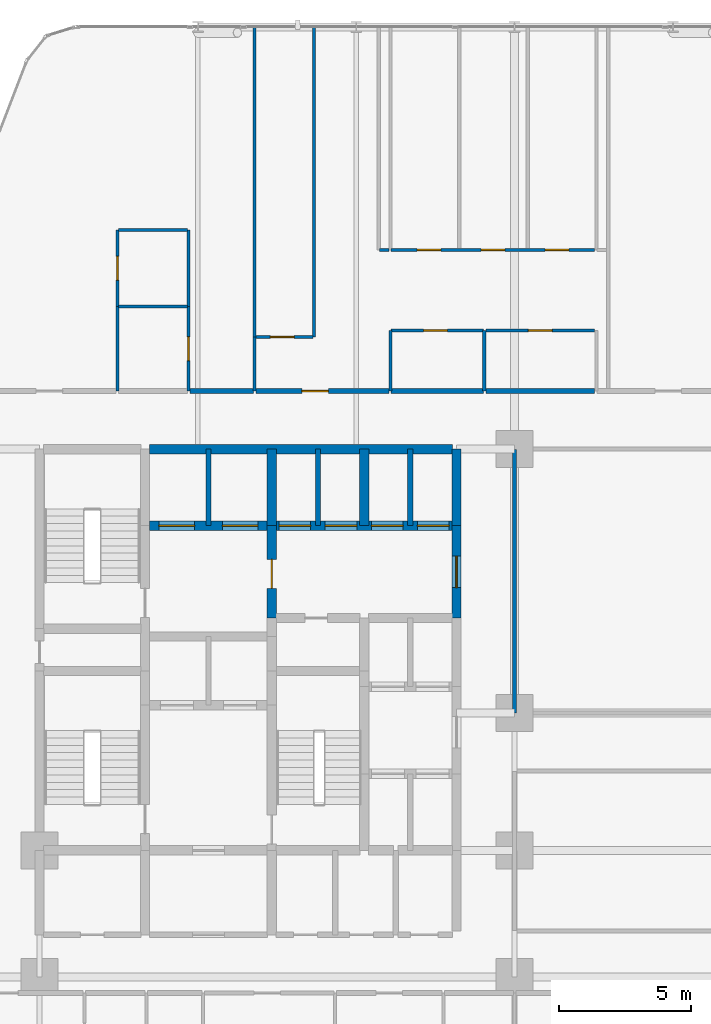
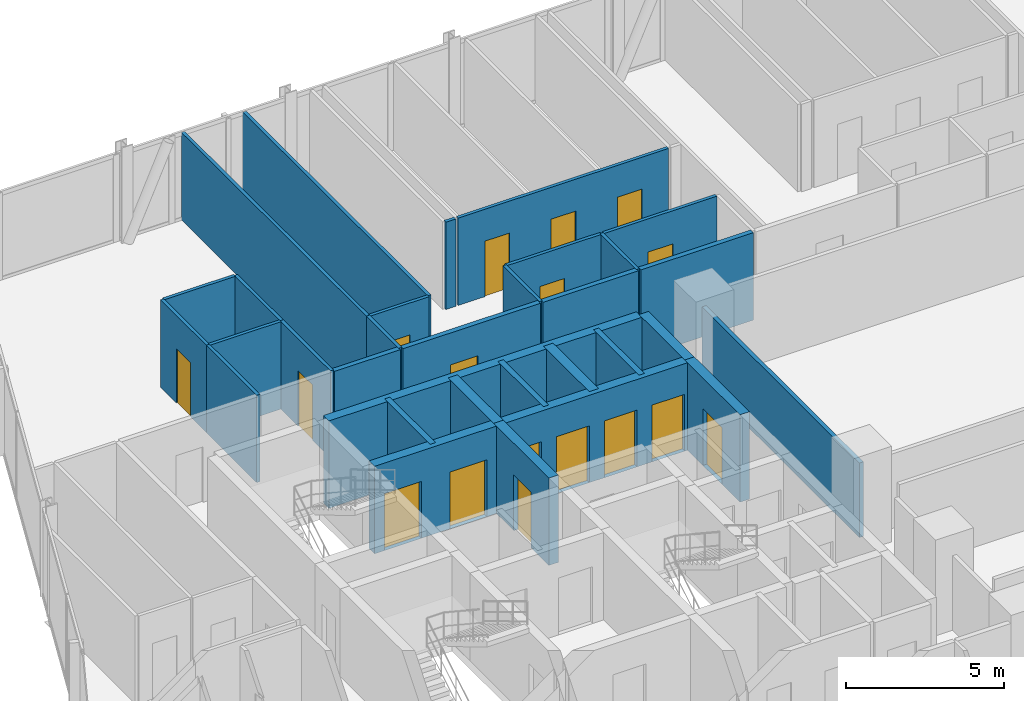
# One storey, part 30 of 34: 31 walls, 17 doors, 17 openings.
"""IFC4 building model written with IfcOpenShell, lengths in metres."""

from ifc_helpers import new_model, si_unit, direction, frame, frame_2d, origin, place, context, subcontext, project, spatial, rectangle, extrude, material, layer, layer_set, type_object, element, fill, save


model = new_model("IFC4")

# Units and contexts
model_context = context("Model", 3, precision=1e-05, world=origin(), true_north=direction((0.0, 1.0)))
body_context = subcontext(model_context, "Body", "Model", "MODEL_VIEW")
ifc_project = project(units=[si_unit("LENGTHUNIT", "METRE"), si_unit("AREAUNIT", "SQUARE_METRE"), si_unit("VOLUMEUNIT", "CUBIC_METRE"), si_unit("PLANEANGLEUNIT", "RADIAN"), si_unit("MASSUNIT", "GRAM", prefix="KILO")], contexts=[model_context])

# Site, building, storey
site_placement = place(None, origin())
site = spatial("IfcSite", under=ifc_project, at=site_placement, CompositionType="ELEMENT")
building_placement = place(site_placement, origin())
building = spatial("IfcBuilding", under=site, at=building_placement, Name="Keshet Zoharim Tower", CompositionType="ELEMENT")
storey_placement = place(building_placement, frame((0.0, 0.0, 38.800048828125)))
storey = spatial("IfcBuildingStorey", under=building, at=storey_placement, Name="L08", CompositionType="ELEMENT", Elevation=38.800048828125)

# Wall
ifc_material_1 = material(Name="Gypsum Plasterboard", Category="gypsum")
ifc_layer_1 = layer(ifc_material_1, 0.14990234375)
ifc_layer_set_1 = layer_set([ifc_layer_1], Name="Gypsum Plasterboard")
wall_type_1 = type_object("IfcWallType", Name="WL-CLIN-150", PredefinedType="STANDARD", material=ifc_layer_set_1)
wall_1_placement = place(storey_placement, frame((33.0, 27.909912109375, 0.0), z_axis=(0.0, 0.0, 1.0), x_axis=(0.0, 1.0, 0.0)))
element("IfcWall", 1, at=wall_1_placement, inside=storey, type_object=wall_type_1, Name="L08 Interior Wall 071", PredefinedType="STANDARD", context=body_context, shape_type="SweptSolid", body=[
    extrude(rectangle(XDim=9.97998046875, YDim=0.14990234375, at=frame_2d((4.989990234375, 0.0))), origin(), (0.0, 0.0, 1.0), 2.885009765625),
])

# Wall, opening, door
ifc_material_2 = material(Name="Concrete C60/75", Category="concrete")
ifc_layer_2 = layer(ifc_material_2, 0.35009765625)
ifc_layer_set_2 = layer_set([ifc_layer_2], Name="Concrete C60/75")
wall_type_2 = type_object("IfcWallType", Name="WL-CORE-350", PredefinedType="SHEAR", material=ifc_layer_set_2)
wall_2_placement = place(storey_placement, frame((23.800048828125, 31.5, 0.0), z_axis=(0.0, 0.0, 1.0), x_axis=(0.0, 1.0, 0.0)))
wall_2 = element("IfcWall", 2, at=wall_2_placement, inside=storey, type_object=wall_type_2, Name="L08 Core Shear Wall 040", PredefinedType="SHEAR", context=body_context, shape_type="SweptSolid", body=[
    extrude(rectangle(XDim=3.5, YDim=0.35009765625, at=frame_2d((1.75, 0.0))), origin(), (0.0, 0.0, 1.0), 3.385009765625),
])
opening_1_placement = place(wall_2_placement, frame((1.126953125, 0.0, 0.0)))
opening_1 = element("IfcOpeningElement", 3, at=opening_1_placement, cuts=wall_2, Name="Opening D-F611", PredefinedType="OPENING", context=body_context, shape_type="SweptSolid", body=[
    extrude(rectangle(XDim=1.10009765625, YDim=2.14990234375, at=frame_2d((0.550048828125, 1.074951171875))), frame((0.0, 0.18505859375, 0.0), z_axis=(0.0, -1.0, 0.0), x_axis=(1.0, 0.0, 0.0)), (0.0, 0.0, 1.0), 0.3701171875),
])
ifc_material_3 = material(Name="Hardwood Timber", Category="wood")
door_type_1 = type_object("IfcDoorType", Name="DR-FD60-110", OperationType="NOTDEFINED", PredefinedType="DOOR", material=ifc_material_3)
door_1_placement = place(opening_1_placement, origin())
door_1 = element("IfcDoor", 4, at=door_1_placement, inside=storey, type_object=door_type_1, Name="L08 Firefighting Lobby Fire Door", OperationType="SINGLE_SWING_RIGHT", OverallHeight=2.14990234375, OverallWidth=1.10009765625, PredefinedType="DOOR", context=body_context, shape_type="SweptSolid", body=[
    extrude(rectangle(XDim=1.10009765625, YDim=2.14990234375, at=frame_2d((0.550048828125, 1.074951171875))), frame((0.0, 0.02490234375, 0.0), z_axis=(0.0, -1.0, 0.0), x_axis=(1.0, 0.0, 0.0)), (0.0, 0.0, 1.0), 0.050048828125),
])
fill(opening_1, door_1)

# Walls
for number, where, z_axis, x_axis, name in (
    (5, (23.800048828125, 35.0, 0.0), (0.0, 0.0, 1.0), (0.0, 1.0, 0.0), "L08 Core Shear Wall 041"),
    (6, (27.300048828125, 35.0, 0.0), (0.0, 0.0, 1.0), (0.0, 1.0, 0.0), "L08 Core Shear Wall 050"),
):
    element("IfcWall", number, at=place(storey_placement, frame(where, z_axis=z_axis, x_axis=x_axis)), inside=storey, type_object=wall_type_2, Name=name, PredefinedType="SHEAR", context=body_context, shape_type="SweptSolid", body=[
        extrude(rectangle(XDim=2.89990234375, YDim=0.35009765625, at=frame_2d((1.449951171875, 0.0))), origin(), (0.0, 0.0, 1.0), 3.385009765625),
    ])

# Wall, opening, door
wall_3_placement = place(storey_placement, frame((30.800048828125, 31.5, 0.0), z_axis=(0.0, 0.0, 1.0), x_axis=(0.0, 1.0, 0.0)))
wall_3 = element("IfcWall", 7, at=wall_3_placement, inside=storey, type_object=wall_type_2, Name="L08 Core Shear Wall 065", PredefinedType="SHEAR", context=body_context, shape_type="SweptSolid", body=[
    extrude(rectangle(XDim=3.5, YDim=0.35009765625, at=frame_2d((1.75, 0.0))), origin(), (0.0, 0.0, 1.0), 3.385009765625),
])
opening_2_placement = place(wall_3_placement, frame((1.14990234375, 0.0, 0.0)))
opening_2 = element("IfcOpeningElement", 8, at=opening_2_placement, cuts=wall_3, Name="Opening D-F612", PredefinedType="OPENING", context=body_context, shape_type="SweptSolid", body=[
    extrude(rectangle(XDim=1.199951171875, YDim=2.199951171875, at=frame_2d((0.60009765625, 1.10009765625))), frame((0.0, 0.18505859375, 0.0), z_axis=(0.0, -1.0, 0.0), x_axis=(1.0, 0.0, 0.0)), (0.0, 0.0, 1.0), 0.3701171875),
])
door_type_2 = type_object("IfcDoorType", Name="DR-FD60-120", OperationType="NOTDEFINED", PredefinedType="DOOR", material=ifc_material_3)
door_2_placement = place(opening_2_placement, origin())
door_2 = element("IfcDoor", 9, at=door_2_placement, inside=storey, type_object=door_type_2, Name="L08 North Lift Lobby East Fire Door", OperationType="SINGLE_SWING_RIGHT", OverallHeight=2.199951171875, OverallWidth=1.199951171875, PredefinedType="DOOR", context=body_context, shape_type="SweptSolid", body=[
    extrude(rectangle(XDim=1.199951171875, YDim=2.199951171875, at=frame_2d((0.60009765625, 1.10009765625))), frame((0.0, 0.02490234375, 0.0), z_axis=(0.0, -1.0, 0.0), x_axis=(1.0, 0.0, 0.0)), (0.0, 0.0, 1.0), 0.050048828125),
])
fill(opening_2, door_2)

# Wall
wall_4_placement = place(storey_placement, frame((30.800048828125, 35.0, 0.0), z_axis=(0.0, 0.0, 1.0), x_axis=(0.0, 1.0, 0.0)))
element("IfcWall", 10, at=wall_4_placement, inside=storey, type_object=wall_type_2, Name="L08 Core Shear Wall 066", PredefinedType="SHEAR", context=body_context, shape_type="SweptSolid", body=[
    extrude(rectangle(XDim=2.89990234375, YDim=0.35009765625, at=frame_2d((1.449951171875, 0.0))), origin(), (0.0, 0.0, 1.0), 3.385009765625),
])

# Wall, openings, doors
wall_5_placement = place(storey_placement, frame((19.159912109375, 35.0, 0.0), z_axis=(0.0, 0.0, 1.0), x_axis=(1.0, 0.0, 0.0)))
wall_5 = element("IfcWall", 11, at=wall_5_placement, inside=storey, type_object=wall_type_2, Name="L08 Core Shear Wall 193", PredefinedType="SHEAR", context=body_context, shape_type="SweptSolid", body=[
    extrude(rectangle(XDim=11.47998046875, YDim=0.35009765625, at=frame_2d((5.739990234375, 0.0))), origin(), (0.0, 0.0, 1.0), 3.385009765625),
])
opening_3_placement = place(wall_5_placement, frame((0.364990234375, 0.0, 0.0)))
opening_3 = element("IfcOpeningElement", 12, at=opening_3_placement, cuts=wall_5, Name="Opening LD-02", PredefinedType="OPENING", context=body_context, shape_type="SweptSolid", body=[
    extrude(rectangle(XDim=1.35009765625, YDim=2.199951171875, at=frame_2d((0.675048828125, 1.10009765625))), frame((0.0, 0.18505859375, 0.0), z_axis=(0.0, -1.0, 0.0), x_axis=(1.0, 0.0, 0.0)), (0.0, 0.0, 1.0), 0.3701171875),
])
opening_4_placement = place(wall_5_placement, frame((2.764892578125, 0.0, 0.0)))
opening_4 = element("IfcOpeningElement", 13, at=opening_4_placement, cuts=wall_5, Name="Opening LD-02", PredefinedType="OPENING", context=body_context, shape_type="SweptSolid", body=[
    extrude(rectangle(XDim=1.35009765625, YDim=2.199951171875, at=frame_2d((0.675048828125, 1.10009765625))), frame((0.0, 0.18505859375, 0.0), z_axis=(0.0, -1.0, 0.0), x_axis=(1.0, 0.0, 0.0)), (0.0, 0.0, 1.0), 0.3701171875),
])
opening_5_placement = place(wall_5_placement, frame((4.9150390625, 0.0, 0.0)))
opening_5 = element("IfcOpeningElement", 14, at=opening_5_placement, cuts=wall_5, Name="Opening LD-03", PredefinedType="OPENING", context=body_context, shape_type="SweptSolid", body=[
    extrude(rectangle(XDim=1.199951171875, YDim=2.199951171875, at=frame_2d((0.60009765625, 1.10009765625))), frame((0.0, 0.18505859375, 0.0), z_axis=(0.0, -1.0, 0.0), x_axis=(1.0, 0.0, 0.0)), (0.0, 0.0, 1.0), 0.3701171875),
])
opening_6_placement = place(wall_5_placement, frame((6.6650390625, 0.0, 0.0)))
opening_6 = element("IfcOpeningElement", 15, at=opening_6_placement, cuts=wall_5, Name="Opening LD-03", PredefinedType="OPENING", context=body_context, shape_type="SweptSolid", body=[
    extrude(rectangle(XDim=1.199951171875, YDim=2.199951171875, at=frame_2d((0.60009765625, 1.10009765625))), frame((0.0, 0.18505859375, 0.0), z_axis=(0.0, -1.0, 0.0), x_axis=(1.0, 0.0, 0.0)), (0.0, 0.0, 1.0), 0.3701171875),
])
opening_7_placement = place(wall_5_placement, frame((8.4150390625, 0.0, 0.0)))
opening_7 = element("IfcOpeningElement", 16, at=opening_7_placement, cuts=wall_5, Name="Opening LD-03", PredefinedType="OPENING", context=body_context, shape_type="SweptSolid", body=[
    extrude(rectangle(XDim=1.199951171875, YDim=2.199951171875, at=frame_2d((0.60009765625, 1.10009765625))), frame((0.0, 0.18505859375, 0.0), z_axis=(0.0, -1.0, 0.0), x_axis=(1.0, 0.0, 0.0)), (0.0, 0.0, 1.0), 0.3701171875),
])
opening_8_placement = place(wall_5_placement, frame((10.159912109375, 0.0, 0.0)))
opening_8 = element("IfcOpeningElement", 17, at=opening_8_placement, cuts=wall_5, Name="Opening LD-03", PredefinedType="OPENING", context=body_context, shape_type="SweptSolid", body=[
    extrude(rectangle(XDim=1.199951171875, YDim=2.199951171875, at=frame_2d((0.60009765625, 1.10009765625))), frame((0.0, 0.18505859375, 0.0), z_axis=(0.0, -1.0, 0.0), x_axis=(1.0, 0.0, 0.0)), (0.0, 0.0, 1.0), 0.3701171875),
])
ifc_material_4 = material(Name="Steel S355", Category="steel")
door_type_3 = type_object("IfcDoorType", Name="DR-LD02-135", OperationType="DOUBLE_DOOR_SLIDING", PredefinedType="DOOR", material=ifc_material_4)
door_3_placement = place(opening_3_placement, origin())
door_3 = element("IfcDoor", 18, at=door_3_placement, inside=storey, type_object=door_type_3, Name="L08 Firefighting Lift Landing Door FF-01", OperationType="DOUBLE_DOOR_SLIDING", OverallHeight=2.199951171875, OverallWidth=1.35009765625, PredefinedType="DOOR", context=body_context, shape_type="SweptSolid", body=[
    extrude(rectangle(XDim=1.35009765625, YDim=2.199951171875, at=frame_2d((0.675048828125, 1.10009765625))), frame((0.0, 0.02490234375, 0.0), z_axis=(0.0, -1.0, 0.0), x_axis=(1.0, 0.0, 0.0)), (0.0, 0.0, 1.0), 0.050048828125),
])
fill(opening_3, door_3)
door_4_placement = place(opening_4_placement, origin())
door_4 = element("IfcDoor", 19, at=door_4_placement, inside=storey, type_object=door_type_3, Name="L08 Firefighting Lift Landing Door FF-02", OperationType="DOUBLE_DOOR_SLIDING", OverallHeight=2.199951171875, OverallWidth=1.35009765625, PredefinedType="DOOR", context=body_context, shape_type="SweptSolid", body=[
    extrude(rectangle(XDim=1.35009765625, YDim=2.199951171875, at=frame_2d((0.675048828125, 1.10009765625))), frame((0.0, 0.02490234375, 0.0), z_axis=(0.0, -1.0, 0.0), x_axis=(1.0, 0.0, 0.0)), (0.0, 0.0, 1.0), 0.050048828125),
])
fill(opening_4, door_4)
door_type_4 = type_object("IfcDoorType", Name="DR-LD03-120", OperationType="DOUBLE_DOOR_SLIDING", PredefinedType="DOOR", material=ifc_material_4)
door_5_placement = place(opening_5_placement, origin())
door_5 = element("IfcDoor", 20, at=door_5_placement, inside=storey, type_object=door_type_4, Name="L08 Passenger Lift Landing Door LF-01", OperationType="DOUBLE_DOOR_SLIDING", OverallHeight=2.199951171875, OverallWidth=1.199951171875, PredefinedType="DOOR", context=body_context, shape_type="SweptSolid", body=[
    extrude(rectangle(XDim=1.199951171875, YDim=2.199951171875, at=frame_2d((0.60009765625, 1.10009765625))), frame((0.0, 0.02490234375, 0.0), z_axis=(0.0, -1.0, 0.0), x_axis=(1.0, 0.0, 0.0)), (0.0, 0.0, 1.0), 0.050048828125),
])
fill(opening_5, door_5)
door_6_placement = place(opening_6_placement, origin())
door_6 = element("IfcDoor", 21, at=door_6_placement, inside=storey, type_object=door_type_4, Name="L08 Passenger Lift Landing Door LF-02", OperationType="DOUBLE_DOOR_SLIDING", OverallHeight=2.199951171875, OverallWidth=1.199951171875, PredefinedType="DOOR", context=body_context, shape_type="SweptSolid", body=[
    extrude(rectangle(XDim=1.199951171875, YDim=2.199951171875, at=frame_2d((0.60009765625, 1.10009765625))), frame((0.0, 0.02490234375, 0.0), z_axis=(0.0, -1.0, 0.0), x_axis=(1.0, 0.0, 0.0)), (0.0, 0.0, 1.0), 0.050048828125),
])
fill(opening_6, door_6)
door_7_placement = place(opening_7_placement, origin())
door_7 = element("IfcDoor", 22, at=door_7_placement, inside=storey, type_object=door_type_4, Name="L08 Passenger Lift Landing Door LF-03", OperationType="DOUBLE_DOOR_SLIDING", OverallHeight=2.199951171875, OverallWidth=1.199951171875, PredefinedType="DOOR", context=body_context, shape_type="SweptSolid", body=[
    extrude(rectangle(XDim=1.199951171875, YDim=2.199951171875, at=frame_2d((0.60009765625, 1.10009765625))), frame((0.0, 0.02490234375, 0.0), z_axis=(0.0, -1.0, 0.0), x_axis=(1.0, 0.0, 0.0)), (0.0, 0.0, 1.0), 0.050048828125),
])
fill(opening_7, door_7)
door_8_placement = place(opening_8_placement, origin())
door_8 = element("IfcDoor", 23, at=door_8_placement, inside=storey, type_object=door_type_4, Name="L08 Passenger Lift Landing Door LF-04", OperationType="DOUBLE_DOOR_SLIDING", OverallHeight=2.199951171875, OverallWidth=1.199951171875, PredefinedType="DOOR", context=body_context, shape_type="SweptSolid", body=[
    extrude(rectangle(XDim=1.199951171875, YDim=2.199951171875, at=frame_2d((0.60009765625, 1.10009765625))), frame((0.0, 0.02490234375, 0.0), z_axis=(0.0, -1.0, 0.0), x_axis=(1.0, 0.0, 0.0)), (0.0, 0.0, 1.0), 0.050048828125),
])
fill(opening_8, door_8)

# Walls
wall_6_placement = place(storey_placement, frame((19.159912109375, 37.89990234375, 0.0), z_axis=(0.0, 0.0, 1.0), x_axis=(1.0, 0.0, 0.0)))
element("IfcWall", 24, at=wall_6_placement, inside=storey, type_object=wall_type_2, Name="L08 Core Shear Wall 195", PredefinedType="SHEAR", context=body_context, shape_type="SweptSolid", body=[
    extrude(rectangle(XDim=11.47998046875, YDim=0.35009765625, at=frame_2d((5.739990234375, 0.0))), origin(), (0.0, 0.0, 1.0), 3.385009765625),
])
ifc_layer_3 = layer(ifc_material_1, 0.179931640625)
ifc_layer_set_3 = layer_set([ifc_layer_3], Name="Gypsum Plasterboard")
wall_type_3 = type_object("IfcWallType", Name="WL-CORR-180", PredefinedType="STANDARD", material=ifc_layer_set_3)
wall_7_placement = place(storey_placement, frame((20.695068359375, 40.10009765625, 0.0), z_axis=(0.0, 0.0, 1.0), x_axis=(1.0, 0.0, 0.0)))
element("IfcWall", 25, at=wall_7_placement, inside=storey, type_object=wall_type_3, Name="L08 Interior Wall 201", PredefinedType="STANDARD", context=body_context, shape_type="SweptSolid", body=[
    extrude(rectangle(XDim=2.409912109375, YDim=0.179931640625, at=frame_2d((1.205078125, 0.0))), origin(), (0.0, 0.0, 1.0), 3.385009765625),
])

# Wall, opening, door
wall_8_placement = place(storey_placement, frame((23.195068359375, 40.10009765625, 0.0), z_axis=(0.0, 0.0, 1.0), x_axis=(1.0, 0.0, 0.0)))
wall_8 = element("IfcWall", 26, at=wall_8_placement, inside=storey, type_object=wall_type_3, Name="L08 Interior Wall 202", PredefinedType="STANDARD", context=body_context, shape_type="SweptSolid", body=[
    extrude(rectangle(XDim=5.0400390625, YDim=0.179931640625, at=frame_2d((2.52001953125, 0.0))), origin(), (0.0, 0.0, 1.0), 3.385009765625),
])
opening_9_placement = place(wall_8_placement, frame((1.75, 0.0, 0.0)))
opening_9 = element("IfcOpeningElement", 27, at=opening_9_placement, cuts=wall_8, Name="Opening D-F310", PredefinedType="OPENING", context=body_context, shape_type="SweptSolid", body=[
    extrude(rectangle(XDim=1.0, YDim=2.14990234375, at=frame_2d((0.5, 1.074951171875))), frame((0.0, 0.10009765625, 0.0), z_axis=(0.0, -1.0, 0.0), x_axis=(1.0, 0.0, 0.0)), (0.0, 0.0, 1.0), 0.199951171875),
])
door_type_5 = type_object("IfcDoorType", Name="DR-FD30-100", OperationType="NOTDEFINED", PredefinedType="DOOR", material=ifc_material_3)
door_9_placement = place(opening_9_placement, origin())
door_9 = element("IfcDoor", 28, at=door_9_placement, inside=storey, type_object=door_type_5, Name="Apartment 0807 Entrance Door", OperationType="SINGLE_SWING_LEFT", OverallHeight=2.14990234375, OverallWidth=1.0, PredefinedType="DOOR", context=body_context, shape_type="SweptSolid", body=[
    extrude(rectangle(XDim=1.0, YDim=2.14990234375, at=frame_2d((0.5, 1.074951171875))), frame((0.0, 0.02490234375, 0.0), z_axis=(0.0, -1.0, 0.0), x_axis=(1.0, 0.0, 0.0)), (0.0, 0.0, 1.0), 0.050048828125),
])
fill(opening_9, door_9)

# Walls
wall_9_placement = place(storey_placement, frame((28.324951171875, 40.10009765625, 0.0), z_axis=(0.0, 0.0, 1.0), x_axis=(1.0, 0.0, 0.0)))
element("IfcWall", 29, at=wall_9_placement, inside=storey, type_object=wall_type_3, Name="L08 Interior Wall 203", PredefinedType="STANDARD", context=body_context, shape_type="SweptSolid", body=[
    extrude(rectangle(XDim=3.498046875, YDim=0.179931640625, at=frame_2d((1.7490234375, 0.0))), origin(), (0.0, 0.0, 1.0), 3.385009765625),
])
wall_10_placement = place(storey_placement, frame((31.9130859375, 40.10009765625, 0.0), z_axis=(0.0, 0.0, 1.0), x_axis=(1.0, 0.0, 0.0)))
element("IfcWall", 30, at=wall_10_placement, inside=storey, type_object=wall_type_3, Name="L08 Interior Wall 204", PredefinedType="STANDARD", context=body_context, shape_type="SweptSolid", body=[
    extrude(rectangle(XDim=4.121826171875, YDim=0.179931640625, at=frame_2d((2.06103515625, 0.0))), origin(), (0.0, 0.0, 1.0), 3.385009765625),
])
ifc_material_5 = material(Name="Concrete C50/60", Category="concrete")
ifc_layer_4 = layer(ifc_material_5, 0.199951171875)
ifc_layer_set_4 = layer_set([ifc_layer_4], Name="Concrete C50/60")
wall_type_4 = type_object("IfcWallType", Name="WL-FIRE-200", PredefinedType="STANDARD", material=ifc_layer_set_4)
for number, where, z_axis, x_axis, name in (
    (31, (21.39990234375, 35.0, 0.0), (0.0, 0.0, 1.0), (0.0, 1.0, 0.0), "L08 Interior Wall 032"),
    (32, (25.550048828125, 35.0, 0.0), (0.0, 0.0, 1.0), (0.0, 1.0, 0.0), "L08 Interior Wall 043"),
    (33, (29.050048828125, 35.0, 0.0), (0.0, 0.0, 1.0), (0.0, 1.0, 0.0), "L08 Interior Wall 057"),
):
    element("IfcWall", number, at=place(storey_placement, frame(where, z_axis=z_axis, x_axis=x_axis)), inside=storey, type_object=wall_type_4, Name=name, PredefinedType="STANDARD", context=body_context, shape_type="SweptSolid", body=[
        extrude(rectangle(XDim=2.89990234375, YDim=0.199951171875, at=frame_2d((1.449951171875, 0.0))), origin(), (0.0, 0.0, 1.0), 3.385009765625),
    ])
ifc_layer_5 = layer(ifc_material_1, 0.1201171875)
ifc_layer_set_5 = layer_set([ifc_layer_5], Name="Gypsum Plasterboard")
wall_type_5 = type_object("IfcWallType", Name="WL-PART-120", PredefinedType="PARTITIONING", material=ifc_layer_set_5)
wall_11_placement = place(storey_placement, frame((17.949951171875, 40.10009765625, 0.0), z_axis=(0.0, 0.0, 1.0), x_axis=(0.0, 1.0, 0.0)))
element("IfcWall", 34, at=wall_11_placement, inside=storey, type_object=wall_type_5, Name="L08 Interior Wall 019", PredefinedType="PARTITIONING", context=body_context, shape_type="SweptSolid", body=[
    extrude(rectangle(XDim=3.199951171875, YDim=0.1201171875, at=frame_2d((1.60009765625, 0.0))), origin(), (0.0, 0.0, 1.0), 3.385009765625),
])

# Wall, opening, door
wall_12_placement = place(storey_placement, frame((20.64990234375, 40.10009765625, 0.0), z_axis=(0.0, 0.0, 1.0), x_axis=(0.0, 1.0, 0.0)))
wall_12 = element("IfcWall", 35, at=wall_12_placement, inside=storey, type_object=wall_type_5, Name="L08 Interior Wall 028", PredefinedType="PARTITIONING", context=body_context, shape_type="SweptSolid", body=[
    extrude(rectangle(XDim=3.199951171875, YDim=0.1201171875, at=frame_2d((1.60009765625, 0.0))), origin(), (0.0, 0.0, 1.0), 3.385009765625),
])
opening_10_placement = place(wall_12_placement, frame((1.14990234375, 0.0, 0.0)))
opening_10 = element("IfcOpeningElement", 36, at=opening_10_placement, cuts=wall_12, Name="Opening D-IN90", PredefinedType="OPENING", context=body_context, shape_type="SweptSolid", body=[
    extrude(rectangle(XDim=0.89990234375, YDim=2.14990234375, at=frame_2d((0.449951171875, 1.074951171875))), frame((0.0, 0.070068359375, 0.0), z_axis=(0.0, -1.0, 0.0), x_axis=(1.0, 0.0, 0.0)), (0.0, 0.0, 1.0), 0.14013671875),
])
door_type_6 = type_object("IfcDoorType", Name="DR-INT-090", OperationType="NOTDEFINED", PredefinedType="DOOR", material=ifc_material_3)
door_10_placement = place(opening_10_placement, origin())
door_10 = element("IfcDoor", 37, at=door_10_placement, inside=storey, type_object=door_type_6, Name="Apartment 0806 Kitchenette Door", OperationType="SINGLE_SWING_RIGHT", OverallHeight=2.14990234375, OverallWidth=0.89990234375, PredefinedType="DOOR", context=body_context, shape_type="SweptSolid", body=[
    extrude(rectangle(XDim=0.89990234375, YDim=2.14990234375, at=frame_2d((0.449951171875, 1.074951171875))), frame((0.0, 0.02490234375, 0.0), z_axis=(0.0, -1.0, 0.0), x_axis=(1.0, 0.0, 0.0)), (0.0, 0.0, 1.0), 0.050048828125),
])
fill(opening_10, door_10)

# Walls
wall_13_placement = place(storey_placement, frame((23.14990234375, 40.10009765625, 0.0), z_axis=(0.0, 0.0, 1.0), x_axis=(0.0, 1.0, 0.0)))
element("IfcWall", 38, at=wall_13_placement, inside=storey, type_object=wall_type_5, Name="L08 Interior Wall 033", PredefinedType="PARTITIONING", context=body_context, shape_type="SweptSolid", body=[
    extrude(rectangle(XDim=2.0498046875, YDim=0.1201171875, at=frame_2d((1.02490234375, 0.0))), origin(), (0.0, 0.0, 1.0), 3.385009765625),
])
for number, where, z_axis, x_axis, name in (
    (39, (23.14990234375, 42.14990234375, 0.0), (0.0, 0.0, 1.0), (0.0, 1.0, 0.0), "L08 Interior Wall 034"),
    (40, (25.39990234375, 42.14990234375, 0.0), (0.0, 0.0, 1.0), (0.0, 1.0, 0.0), "L08 Interior Wall 042"),
):
    element("IfcWall", number, at=place(storey_placement, frame(where, z_axis=z_axis, x_axis=x_axis)), inside=storey, type_object=wall_type_5, Name=name, PredefinedType="PARTITIONING", context=body_context, shape_type="SweptSolid", body=[
        extrude(rectangle(XDim=11.739990234375, YDim=0.1201171875, at=frame_2d((5.8701171875, 0.0))), origin(), (0.0, 0.0, 1.0), 3.385009765625),
    ])
wall_14_placement = place(storey_placement, frame((28.300048828125, 40.10009765625, 0.0), z_axis=(0.0, 0.0, 1.0), x_axis=(0.0, 1.0, 0.0)))
element("IfcWall", 41, at=wall_14_placement, inside=storey, type_object=wall_type_5, Name="L08 Interior Wall 052", PredefinedType="PARTITIONING", context=body_context, shape_type="SweptSolid", body=[
    extrude(rectangle(XDim=2.2998046875, YDim=0.1201171875, at=frame_2d((1.14990234375, 0.0))), origin(), (0.0, 0.0, 1.0), 3.385009765625),
])

# Wall, opening, door
wall_15_placement = place(storey_placement, frame((23.195068359375, 42.14990234375, 0.0), z_axis=(0.0, 0.0, 1.0), x_axis=(1.0, 0.0, 0.0)))
wall_15 = element("IfcWall", 42, at=wall_15_placement, inside=storey, type_object=wall_type_5, Name="L08 Interior Wall 214", PredefinedType="PARTITIONING", context=body_context, shape_type="SweptSolid", body=[
    extrude(rectangle(XDim=2.159912109375, YDim=0.1201171875, at=frame_2d((1.080078125, 0.0))), origin(), (0.0, 0.0, 1.0), 3.385009765625),
])
opening_11_placement = place(wall_15_placement, frame((0.552978515625, 0.0, 0.0)))
opening_11 = element("IfcOpeningElement", 43, at=opening_11_placement, cuts=wall_15, Name="Opening D-IN90", PredefinedType="OPENING", context=body_context, shape_type="SweptSolid", body=[
    extrude(rectangle(XDim=0.89990234375, YDim=2.14990234375, at=frame_2d((0.449951171875, 1.074951171875))), frame((0.0, 0.070068359375, 0.0), z_axis=(0.0, -1.0, 0.0), x_axis=(1.0, 0.0, 0.0)), (0.0, 0.0, 1.0), 0.14013671875),
])
door_11_placement = place(opening_11_placement, origin())
door_11 = element("IfcDoor", 44, at=door_11_placement, inside=storey, type_object=door_type_6, Name="Apartment 0807 Formal Dining Room Door", OperationType="SINGLE_SWING_RIGHT", OverallHeight=2.14990234375, OverallWidth=0.89990234375, PredefinedType="DOOR", context=body_context, shape_type="SweptSolid", body=[
    extrude(rectangle(XDim=0.89990234375, YDim=2.14990234375, at=frame_2d((0.449951171875, 1.074951171875))), frame((0.0, 0.02490234375, 0.0), z_axis=(0.0, -1.0, 0.0), x_axis=(1.0, 0.0, 0.0)), (0.0, 0.0, 1.0), 0.050048828125),
])
fill(opening_11, door_11)

wall_16_placement = place(storey_placement, frame((28.324951171875, 42.39990234375, 0.0), z_axis=(0.0, 0.0, 1.0), x_axis=(1.0, 0.0, 0.0)))
wall_16 = element("IfcWall", 45, at=wall_16_placement, inside=storey, type_object=wall_type_5, Name="L08 Interior Wall 215", PredefinedType="PARTITIONING", context=body_context, shape_type="SweptSolid", body=[
    extrude(rectangle(XDim=3.498046875, YDim=0.1201171875, at=frame_2d((1.7490234375, 0.0))), origin(), (0.0, 0.0, 1.0), 3.385009765625),
])
opening_12_placement = place(wall_16_placement, frame((1.22607421875, 0.0, 0.0)))
opening_12 = element("IfcOpeningElement", 46, at=opening_12_placement, cuts=wall_16, Name="Opening D-IN90", PredefinedType="OPENING", context=body_context, shape_type="SweptSolid", body=[
    extrude(rectangle(XDim=0.89990234375, YDim=2.14990234375, at=frame_2d((0.449951171875, 1.074951171875))), frame((0.0, 0.070068359375, 0.0), z_axis=(0.0, -1.0, 0.0), x_axis=(1.0, 0.0, 0.0)), (0.0, 0.0, 1.0), 0.14013671875),
])
door_12_placement = place(opening_12_placement, origin())
door_12 = element("IfcDoor", 47, at=door_12_placement, inside=storey, type_object=door_type_6, Name="Apartment 0807 Kitchen Door", OperationType="SINGLE_SWING_LEFT", OverallHeight=2.14990234375, OverallWidth=0.89990234375, PredefinedType="DOOR", context=body_context, shape_type="SweptSolid", body=[
    extrude(rectangle(XDim=0.89990234375, YDim=2.14990234375, at=frame_2d((0.449951171875, 1.074951171875))), frame((0.0, 0.02490234375, 0.0), z_axis=(0.0, -1.0, 0.0), x_axis=(1.0, 0.0, 0.0)), (0.0, 0.0, 1.0), 0.050048828125),
])
fill(opening_12, door_12)

# Wall
wall_17_placement = place(storey_placement, frame((27.875, 45.449951171875, 0.0), z_axis=(0.0, 0.0, 1.0), x_axis=(1.0, 0.0, 0.0)))
element("IfcWall", 48, at=wall_17_placement, inside=storey, type_object=wall_type_5, Name="L08 Interior Wall 222", PredefinedType="PARTITIONING", context=body_context, shape_type="SweptSolid", body=[
    extrude(rectangle(XDim=0.360107421875, YDim=0.1201171875, at=frame_2d((0.18017578125, 0.0))), origin(), (0.0, 0.0, 1.0), 3.385009765625),
])

# Wall, openings, doors
wall_18_placement = place(storey_placement, frame((28.324951171875, 45.449951171875, 0.0), z_axis=(0.0, 0.0, 1.0), x_axis=(1.0, 0.0, 0.0)))
wall_18 = element("IfcWall", 49, at=wall_18_placement, inside=storey, type_object=wall_type_5, Name="L08 Interior Wall 223", PredefinedType="PARTITIONING", context=body_context, shape_type="SweptSolid", body=[
    extrude(rectangle(XDim=7.7099609375, YDim=0.1201171875, at=frame_2d((3.85498046875, 0.0))), origin(), (0.0, 0.0, 1.0), 3.385009765625),
])
opening_13_placement = place(wall_18_placement, frame((0.97998046875, 0.0, 0.0)))
opening_13 = element("IfcOpeningElement", 50, at=opening_13_placement, cuts=wall_18, Name="Opening D-IN90", PredefinedType="OPENING", context=body_context, shape_type="SweptSolid", body=[
    extrude(rectangle(XDim=0.89990234375, YDim=2.14990234375, at=frame_2d((0.449951171875, 1.074951171875))), frame((0.0, 0.070068359375, 0.0), z_axis=(0.0, -1.0, 0.0), x_axis=(1.0, 0.0, 0.0)), (0.0, 0.0, 1.0), 0.14013671875),
])
opening_14_placement = place(wall_18_placement, frame((3.405029296875, 0.0, 0.0)))
opening_14 = element("IfcOpeningElement", 51, at=opening_14_placement, cuts=wall_18, Name="Opening D-IN90", PredefinedType="OPENING", context=body_context, shape_type="SweptSolid", body=[
    extrude(rectangle(XDim=0.89990234375, YDim=2.14990234375, at=frame_2d((0.449951171875, 1.074951171875))), frame((0.0, 0.070068359375, 0.0), z_axis=(0.0, -1.0, 0.0), x_axis=(1.0, 0.0, 0.0)), (0.0, 0.0, 1.0), 0.14013671875),
])
opening_15_placement = place(wall_18_placement, frame((5.830078125, 0.0, 0.0)))
opening_15 = element("IfcOpeningElement", 52, at=opening_15_placement, cuts=wall_18, Name="Opening D-IN90", PredefinedType="OPENING", context=body_context, shape_type="SweptSolid", body=[
    extrude(rectangle(XDim=0.89990234375, YDim=2.14990234375, at=frame_2d((0.449951171875, 1.074951171875))), frame((0.0, 0.070068359375, 0.0), z_axis=(0.0, -1.0, 0.0), x_axis=(1.0, 0.0, 0.0)), (0.0, 0.0, 1.0), 0.14013671875),
])
door_13_placement = place(opening_13_placement, origin())
door_13 = element("IfcDoor", 53, at=door_13_placement, inside=storey, type_object=door_type_6, Name="Apartment 0807 Bedroom 1 Door", OperationType="SINGLE_SWING_LEFT", OverallHeight=2.14990234375, OverallWidth=0.89990234375, PredefinedType="DOOR", context=body_context, shape_type="SweptSolid", body=[
    extrude(rectangle(XDim=0.89990234375, YDim=2.14990234375, at=frame_2d((0.449951171875, 1.074951171875))), frame((0.0, 0.02490234375, 0.0), z_axis=(0.0, -1.0, 0.0), x_axis=(1.0, 0.0, 0.0)), (0.0, 0.0, 1.0), 0.050048828125),
])
fill(opening_13, door_13)
door_14_placement = place(opening_14_placement, origin())
door_14 = element("IfcDoor", 54, at=door_14_placement, inside=storey, type_object=door_type_6, Name="Apartment 0807 Bedroom 2 Door", OperationType="SINGLE_SWING_RIGHT", OverallHeight=2.14990234375, OverallWidth=0.89990234375, PredefinedType="DOOR", context=body_context, shape_type="SweptSolid", body=[
    extrude(rectangle(XDim=0.89990234375, YDim=2.14990234375, at=frame_2d((0.449951171875, 1.074951171875))), frame((0.0, 0.02490234375, 0.0), z_axis=(0.0, -1.0, 0.0), x_axis=(1.0, 0.0, 0.0)), (0.0, 0.0, 1.0), 0.050048828125),
])
fill(opening_14, door_14)
door_15_placement = place(opening_15_placement, origin())
door_15 = element("IfcDoor", 55, at=door_15_placement, inside=storey, type_object=door_type_6, Name="Apartment 0807 Bedroom 3 Door", OperationType="SINGLE_SWING_LEFT", OverallHeight=2.14990234375, OverallWidth=0.89990234375, PredefinedType="DOOR", context=body_context, shape_type="SweptSolid", body=[
    extrude(rectangle(XDim=0.89990234375, YDim=2.14990234375, at=frame_2d((0.449951171875, 1.074951171875))), frame((0.0, 0.02490234375, 0.0), z_axis=(0.0, -1.0, 0.0), x_axis=(1.0, 0.0, 0.0)), (0.0, 0.0, 1.0), 0.050048828125),
])
fill(opening_15, door_15)

# Wall, opening, door
ifc_layer_6 = layer(ifc_material_1, 0.1201171875)
ifc_layer_set_6 = layer_set([ifc_layer_6], Name="Gypsum Plasterboard")
wall_type_6 = type_object("IfcWallType", Name="WL-WET-120", PredefinedType="PARTITIONING", material=ifc_layer_set_6)
wall_19_placement = place(storey_placement, frame((17.949951171875, 43.300048828125, 0.0), z_axis=(0.0, 0.0, 1.0), x_axis=(0.0, 1.0, 0.0)))
wall_19 = element("IfcWall", 56, at=wall_19_placement, inside=storey, type_object=wall_type_6, Name="L08 Interior Wall 020", PredefinedType="PARTITIONING", context=body_context, shape_type="SweptSolid", body=[
    extrude(rectangle(XDim=2.89990234375, YDim=0.1201171875, at=frame_2d((1.449951171875, 0.0))), origin(), (0.0, 0.0, 1.0), 3.385009765625),
])
opening_16_placement = place(wall_19_placement, frame((1.0, 0.0, 0.0)))
opening_16 = element("IfcOpeningElement", 57, at=opening_16_placement, cuts=wall_19, Name="Opening D-WT90", PredefinedType="OPENING", context=body_context, shape_type="SweptSolid", body=[
    extrude(rectangle(XDim=0.89990234375, YDim=2.10009765625, at=frame_2d((0.449951171875, 1.050048828125))), frame((0.0, 0.070068359375, 0.0), z_axis=(0.0, -1.0, 0.0), x_axis=(1.0, 0.0, 0.0)), (0.0, 0.0, 1.0), 0.14013671875),
])
door_type_7 = type_object("IfcDoorType", Name="DR-WET-090", OperationType="NOTDEFINED", PredefinedType="DOOR", material=ifc_material_3)
door_16_placement = place(opening_16_placement, origin())
door_16 = element("IfcDoor", 58, at=door_16_placement, inside=storey, type_object=door_type_7, Name="Apartment 0806 Bathroom Door", OperationType="SINGLE_SWING_RIGHT", OverallHeight=2.10009765625, OverallWidth=0.89990234375, PredefinedType="DOOR", context=body_context, shape_type="SweptSolid", body=[
    extrude(rectangle(XDim=0.89990234375, YDim=2.10009765625, at=frame_2d((0.449951171875, 1.050048828125))), frame((0.0, 0.02490234375, 0.0), z_axis=(0.0, -1.0, 0.0), x_axis=(1.0, 0.0, 0.0)), (0.0, 0.0, 1.0), 0.050048828125),
])
fill(opening_16, door_16)

# Walls
wall_20_placement = place(storey_placement, frame((20.64990234375, 43.300048828125, 0.0), z_axis=(0.0, 0.0, 1.0), x_axis=(0.0, 1.0, 0.0)))
element("IfcWall", 59, at=wall_20_placement, inside=storey, type_object=wall_type_6, Name="L08 Interior Wall 029", PredefinedType="PARTITIONING", context=body_context, shape_type="SweptSolid", body=[
    extrude(rectangle(XDim=2.89990234375, YDim=0.1201171875, at=frame_2d((1.449951171875, 0.0))), origin(), (0.0, 0.0, 1.0), 3.385009765625),
])
wall_21_placement = place(storey_placement, frame((31.85009765625, 40.10009765625, 0.0), z_axis=(0.0, 0.0, 1.0), x_axis=(0.0, 1.0, 0.0)))
element("IfcWall", 60, at=wall_21_placement, inside=storey, type_object=wall_type_6, Name="L08 Interior Wall 068", PredefinedType="PARTITIONING", context=body_context, shape_type="SweptSolid", body=[
    extrude(rectangle(XDim=2.2998046875, YDim=0.1201171875, at=frame_2d((1.14990234375, 0.0))), origin(), (0.0, 0.0, 1.0), 3.385009765625),
])

# Wall, opening, door
wall_22_placement = place(storey_placement, frame((31.9130859375, 42.39990234375, 0.0), z_axis=(0.0, 0.0, 1.0), x_axis=(1.0, 0.0, 0.0)))
wall_22 = element("IfcWall", 61, at=wall_22_placement, inside=storey, type_object=wall_type_6, Name="L08 Interior Wall 216", PredefinedType="PARTITIONING", context=body_context, shape_type="SweptSolid", body=[
    extrude(rectangle(XDim=4.121826171875, YDim=0.1201171875, at=frame_2d((2.06103515625, 0.0))), origin(), (0.0, 0.0, 1.0), 3.385009765625),
])
opening_17_placement = place(wall_22_placement, frame((1.611083984375, 0.0, 0.0)))
opening_17 = element("IfcOpeningElement", 62, at=opening_17_placement, cuts=wall_22, Name="Opening D-WT90", PredefinedType="OPENING", context=body_context, shape_type="SweptSolid", body=[
    extrude(rectangle(XDim=0.89990234375, YDim=2.10009765625, at=frame_2d((0.449951171875, 1.050048828125))), frame((0.0, 0.070068359375, 0.0), z_axis=(0.0, -1.0, 0.0), x_axis=(1.0, 0.0, 0.0)), (0.0, 0.0, 1.0), 0.14013671875),
])
door_17_placement = place(opening_17_placement, origin())
door_17 = element("IfcDoor", 63, at=door_17_placement, inside=storey, type_object=door_type_7, Name="Apartment 0807 Bathroom Door", OperationType="SINGLE_SWING_RIGHT", OverallHeight=2.10009765625, OverallWidth=0.89990234375, PredefinedType="DOOR", context=body_context, shape_type="SweptSolid", body=[
    extrude(rectangle(XDim=0.89990234375, YDim=2.10009765625, at=frame_2d((0.449951171875, 1.050048828125))), frame((0.0, 0.02490234375, 0.0), z_axis=(0.0, -1.0, 0.0), x_axis=(1.0, 0.0, 0.0)), (0.0, 0.0, 1.0), 0.050048828125),
])
fill(opening_17, door_17)

# Walls
for number, where, z_axis, x_axis, name in (
    (64, (17.9951171875, 43.300048828125, 0.0), (0.0, 0.0, 1.0), (1.0, 0.0, 0.0), "L08 Interior Wall 221"),
    (65, (17.9951171875, 46.199951171875, 0.0), (0.0, 0.0, 1.0), (1.0, 0.0, 0.0), "L08 Interior Wall 229"),
):
    element("IfcWall", number, at=place(storey_placement, frame(where, z_axis=z_axis, x_axis=x_axis)), inside=storey, type_object=wall_type_6, Name=name, PredefinedType="PARTITIONING", context=body_context, shape_type="SweptSolid", body=[
        extrude(rectangle(XDim=2.60986328125, YDim=0.1201171875, at=frame_2d((1.304931640625, 0.0))), origin(), (0.0, 0.0, 1.0), 3.385009765625),
    ])

save(model, "model.ifc")
